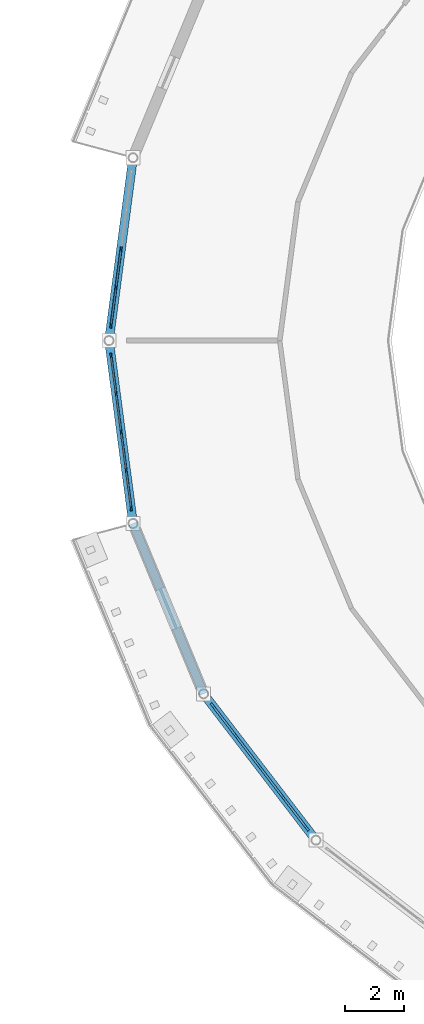
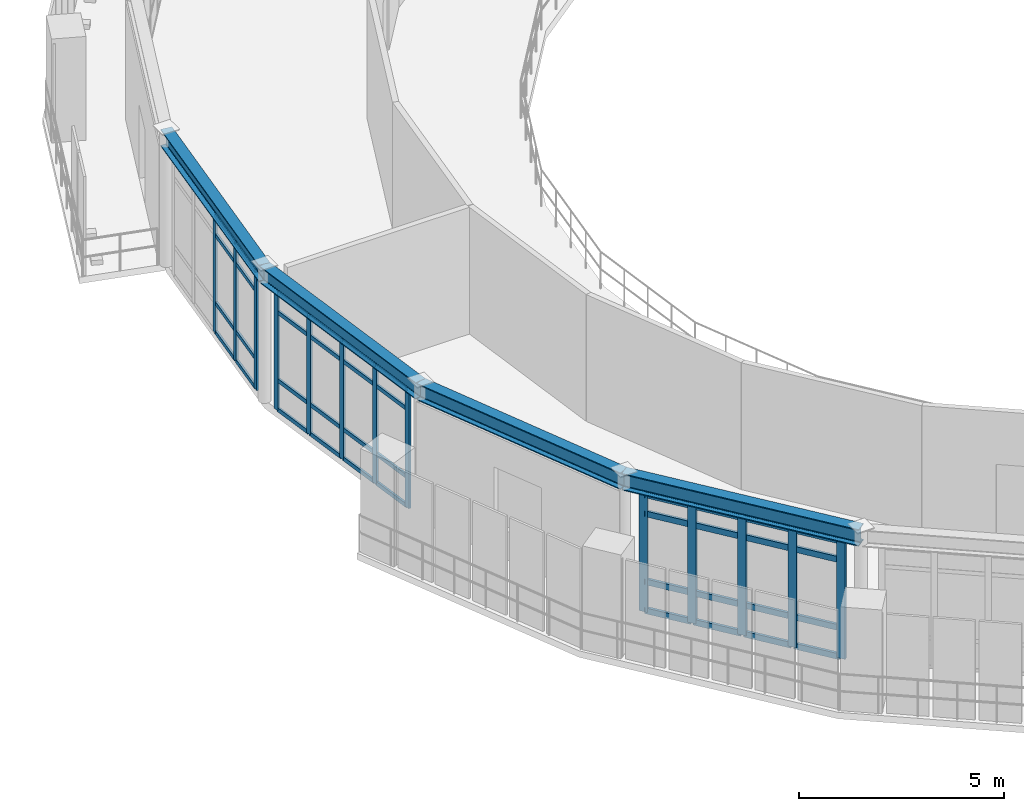
# One storey, part 16 of 58: 53 members, 4 beams, 3 elements without a shape of their own.
"""IFC4 building model written with IfcOpenShell, lengths in metres."""

from ifc_helpers import new_model, si_unit, derived_unit, direction, frame, origin, origin_2d, place, context, subcontext, project, spatial, rectangle, i_section, extrude, material, layer, layer_set, material_profile, profile_set, type_object, element, aggregate, save


model = new_model("IFC4")

# Units and contexts
model_context = context("Model", 3, precision=1e-05, world=origin(), true_north=direction((0.0, 1.0)))
body_context = subcontext(model_context, "Body", "Model", "MODEL_VIEW")
ifc_project = project(units=[si_unit("LENGTHUNIT", "METRE"), si_unit("AREAUNIT", "SQUARE_METRE"), si_unit("VOLUMEUNIT", "CUBIC_METRE"), si_unit("PLANEANGLEUNIT", "RADIAN"), si_unit("MASSUNIT", "GRAM", prefix="KILO"), derived_unit("THERMALTRANSMITTANCEUNIT", [(si_unit("POWERUNIT", "WATT"), 1), (si_unit("AREAUNIT", "SQUARE_METRE"), -1), (si_unit("THERMODYNAMICTEMPERATUREUNIT", "KELVIN"), -1)])], contexts=[model_context])

# Site, building, storey
site_placement = place(None, origin())
site = spatial("IfcSite", under=ifc_project, at=site_placement, CompositionType="ELEMENT")
building_placement = place(site_placement, origin())
building = spatial("IfcBuilding", under=site, at=building_placement, Name="Yasenodar Specialist Clinic", CompositionType="ELEMENT")
storey_placement = place(building_placement, frame((0.0, 0.0, 17.25)))
storey = spatial("IfcBuildingStorey", under=building, at=storey_placement, Name="L04", CompositionType="ELEMENT", Elevation=17.25)

# Beams
ifc_material_1 = material(Name="Steel S355", Category="steel")
ifc_material_profile_1 = material_profile(ifc_material_1, i_section(OverallWidth=0.300048828125, OverallDepth=0.5, WebThickness=0.014404296875, FlangeThickness=0.028076171875, FilletRadius=0.027099609375, at=origin_2d()), Name="HEB 500")
ifc_profile_set_1 = profile_set([ifc_material_profile_1], Name="Steel S355")
beam_type = type_object("IfcBeamType", Name="BM-HEB500", PredefinedType="BEAM", material=ifc_profile_set_1)
for number, where, z_axis, x_axis, name in (
    (1, (57.81787109375, 65.01171875, 3.800048828125), (-0.130540192224, -0.991443018138, 0.0), (0.991443018138, -0.130540192224, 0.0), "L04 Drum V1 Roof Ring Beam"),
    (2, (57.0, 58.800048828125, 3.800048828125), (0.130540192224, -0.991443018138, 0.0), (0.991443018138, 0.130540192224, 0.0), "L04 Drum V1 Roof Ring Beam"),
):
    element("IfcBeam", number, at=place(storey_placement, frame(where, z_axis=z_axis, x_axis=x_axis)), inside=storey, type_object=beam_type, Name=name, PredefinedType="BEAM", context=body_context, shape_type="SweptSolid", body=[
        extrude(i_section(OverallWidth=0.300048828125, OverallDepth=0.5, WebThickness=0.014404296875, FlangeThickness=0.028076171875, FilletRadius=0.027099609375, at=origin_2d()), origin(), (0.0, 0.0, 1.0), 6.265380859375),
    ])
beam_1_placement = place(storey_placement, frame((57.81787109375, 52.58837890625, 3.800048828125), z_axis=(0.382663829839, -0.9238876519, 0.0), x_axis=(0.9238876519, 0.382663829839, 0.0)))
element("IfcBeam", 3, at=beam_1_placement, inside=storey, type_object=beam_type, Name="L04 Drum V1 Roof Ring Beam", PredefinedType="BEAM", context=body_context, shape_type="SweptSolid", body=[
    extrude(i_section(OverallWidth=0.300048828125, OverallDepth=0.5, WebThickness=0.014404296875, FlangeThickness=0.028076171875, FilletRadius=0.027099609375, at=origin_2d()), origin(), (0.0, 0.0, 1.0), 6.26513671875),
])
beam_2_placement = place(storey_placement, frame((60.21533203125, 46.800048828125, 3.800048828125), z_axis=(0.608742360322, -0.793367971845, 0.0), x_axis=(0.793367971845, 0.608742360322, 0.0)))
element("IfcBeam", 4, at=beam_2_placement, inside=storey, type_object=beam_type, Name="L04 Drum V1 Roof Ring Beam", PredefinedType="BEAM", context=body_context, shape_type="SweptSolid", body=[
    extrude(i_section(OverallWidth=0.300048828125, OverallDepth=0.5, WebThickness=0.014404296875, FlangeThickness=0.028076171875, FilletRadius=0.027099609375, at=origin_2d()), origin(), (0.0, 0.0, 1.0), 6.265380859375),
])

# Curtain wall, members
ifc_material_2 = material(Name="Bronze Anodized Aluminium and Triple Low-E Glass", Category="aluminium")
ifc_layer = layer(ifc_material_2, 0.1669921875)
ifc_layer_set = layer_set([ifc_layer], Name="Bronze Anodized Aluminium and Triple Low-E Glass")
curtain_wall_type = type_object("IfcCurtainWallType", Name="CW-SYS-01", PredefinedType="USERDEFINED", material=ifc_layer_set)
curtain_wall_1_placement = place(storey_placement, origin())
curtain_wall_1 = element("IfcCurtainWall", 5, at=curtain_wall_1_placement, inside=storey, type_object=curtain_wall_type, Name="L04 Unitised Curtain Wall 063", ObjectType="UNITISED CURTAIN WALL", PredefinedType="USERDEFINED")
ifc_material_3 = material(Name="Bronze Anodized Aluminium", Category="aluminium")
ifc_material_profile_2 = material_profile(ifc_material_3, rectangle(XDim=0.06005859375, YDim=0.159912109375, at=origin_2d()), Name="CW-MULL 60x160")
ifc_profile_set_2 = profile_set([ifc_material_profile_2], Name="Bronze Anodized Aluminium")
member_type_1 = type_object("IfcMemberType", Name="CW-MULL-160", PredefinedType="MULLION", material=ifc_profile_set_2)
member_1_placement = place(storey_placement, frame((57.066650390625, 59.3056640625, 0.0), z_axis=(0.0, 0.0, 1.0), x_axis=(-0.991446787601, 0.13051156024, 0.0)))
member_1 = element("IfcMember", 6, at=member_1_placement, type_object=member_type_1, Name="CW-01 mullion 1", PredefinedType="MULLION", context=body_context, shape_type="SweptSolid", body=[
    extrude(rectangle(XDim=0.06005859375, YDim=0.159912109375, at=origin_2d()), origin(), (0.0, 0.0, 1.0), 3.528076171875),
])
member_2_placement = place(storey_placement, frame((57.23583984375, 60.5908203125, 0.0), z_axis=(0.0, 0.0, 1.0), x_axis=(-0.991446787601, 0.13051156024, 0.0)))
member_2 = element("IfcMember", 7, at=member_2_placement, type_object=member_type_1, Name="CW-01 mullion 2", PredefinedType="MULLION", context=body_context, shape_type="SweptSolid", body=[
    extrude(rectangle(XDim=0.06005859375, YDim=0.159912109375, at=origin_2d()), origin(), (0.0, 0.0, 1.0), 3.528076171875),
])
member_3_placement = place(storey_placement, frame((57.408935546875, 61.90576171875, 0.0), z_axis=(0.0, 0.0, 1.0), x_axis=(-0.991446787601, 0.13051156024, 0.0)))
member_3 = element("IfcMember", 8, at=member_3_placement, type_object=member_type_1, Name="CW-01 mullion 3", PredefinedType="MULLION", context=body_context, shape_type="SweptSolid", body=[
    extrude(rectangle(XDim=0.06005859375, YDim=0.159912109375, at=origin_2d()), origin(), (0.0, 0.0, 1.0), 3.528076171875),
])

curtain_wall_2_placement = place(storey_placement, origin())
curtain_wall_2 = element("IfcCurtainWall", 9, at=curtain_wall_2_placement, inside=storey, type_object=curtain_wall_type, Name="L04 Unitised Curtain Wall 064", ObjectType="UNITISED CURTAIN WALL", PredefinedType="USERDEFINED")
member_4_placement = place(storey_placement, frame((57.751220703125, 53.093994140625, 0.0), z_axis=(0.0, 0.0, 1.0), x_axis=(-0.991446787601, -0.13051156024, 0.0)))
member_4 = element("IfcMember", 10, at=member_4_placement, type_object=member_type_1, Name="CW-01 mullion 1", PredefinedType="MULLION", context=body_context, shape_type="SweptSolid", body=[
    extrude(rectangle(XDim=0.06005859375, YDim=0.159912109375, at=origin_2d()), origin(), (0.0, 0.0, 1.0), 3.528076171875),
])
member_5_placement = place(storey_placement, frame((57.58203125, 54.379150390625, 0.0), z_axis=(0.0, 0.0, 1.0), x_axis=(-0.991446787601, -0.13051156024, 0.0)))
member_5 = element("IfcMember", 11, at=member_5_placement, type_object=member_type_1, Name="CW-01 mullion 2", PredefinedType="MULLION", context=body_context, shape_type="SweptSolid", body=[
    extrude(rectangle(XDim=0.06005859375, YDim=0.159912109375, at=origin_2d()), origin(), (0.0, 0.0, 1.0), 3.528076171875),
])
member_6_placement = place(storey_placement, frame((57.408935546875, 55.694091796875, 0.0), z_axis=(0.0, 0.0, 1.0), x_axis=(-0.991446787601, -0.13051156024, 0.0)))
member_6 = element("IfcMember", 12, at=member_6_placement, type_object=member_type_1, Name="CW-01 mullion 3", PredefinedType="MULLION", context=body_context, shape_type="SweptSolid", body=[
    extrude(rectangle(XDim=0.06005859375, YDim=0.159912109375, at=origin_2d()), origin(), (0.0, 0.0, 1.0), 3.528076171875),
])
member_7_placement = place(storey_placement, frame((57.23583984375, 57.009033203125, 0.0), z_axis=(0.0, 0.0, 1.0), x_axis=(-0.991446787601, -0.13051156024, 0.0)))
member_7 = element("IfcMember", 13, at=member_7_placement, type_object=member_type_1, Name="CW-01 mullion 4", PredefinedType="MULLION", context=body_context, shape_type="SweptSolid", body=[
    extrude(rectangle(XDim=0.06005859375, YDim=0.159912109375, at=origin_2d()), origin(), (0.0, 0.0, 1.0), 3.528076171875),
])
member_8_placement = place(storey_placement, frame((57.066650390625, 58.29443359375, 0.0), z_axis=(0.0, 0.0, 1.0), x_axis=(-0.991446787601, -0.13051156024, 0.0)))
member_8 = element("IfcMember", 14, at=member_8_placement, type_object=member_type_1, Name="CW-01 mullion 5", PredefinedType="MULLION", context=body_context, shape_type="SweptSolid", body=[
    extrude(rectangle(XDim=0.06005859375, YDim=0.159912109375, at=origin_2d()), origin(), (0.0, 0.0, 1.0), 3.528076171875),
])

curtain_wall_3_placement = place(storey_placement, origin())
curtain_wall_3 = element("IfcCurtainWall", 15, at=curtain_wall_3_placement, inside=storey, type_object=curtain_wall_type, Name="L04 Unitised Curtain Wall 065", ObjectType="UNITISED CURTAIN WALL", PredefinedType="USERDEFINED")
ifc_material_profile_3 = material_profile(ifc_material_3, rectangle(XDim=0.074951171875, YDim=0.22509765625, at=origin_2d()), Name="CW-MULL 75x225")
ifc_profile_set_3 = profile_set([ifc_material_profile_3], Name="Bronze Anodized Aluminium")
member_type_2 = type_object("IfcMemberType", Name="CW-MULL-225", PredefinedType="MULLION", material=ifc_profile_set_3)
member_9_placement = place(storey_placement, frame((63.71435546875, 42.239990234375, 0.0), z_axis=(0.0, 0.0, 1.0), x_axis=(-0.793360558574, -0.608752021844, 0.0)))
member_9 = element("IfcMember", 16, at=member_9_placement, type_object=member_type_2, Name="CW-01 mullion 1", PredefinedType="MULLION", context=body_context, shape_type="SweptSolid", body=[
    extrude(rectangle(XDim=0.074951171875, YDim=0.22509765625, at=origin_2d()), origin(), (0.0, 0.0, 1.0), 3.528076171875),
])
member_10_placement = place(storey_placement, frame((62.9296875, 43.262451171875, 0.0), z_axis=(0.0, 0.0, 1.0), x_axis=(-0.793360558574, -0.608752021844, 0.0)))
member_10 = element("IfcMember", 17, at=member_10_placement, type_object=member_type_2, Name="CW-01 mullion 2", PredefinedType="MULLION", context=body_context, shape_type="SweptSolid", body=[
    extrude(rectangle(XDim=0.074951171875, YDim=0.22509765625, at=origin_2d()), origin(), (0.0, 0.0, 1.0), 3.528076171875),
])
member_11_placement = place(storey_placement, frame((62.122314453125, 44.314697265625, 0.0), z_axis=(0.0, 0.0, 1.0), x_axis=(-0.793360558574, -0.608752021844, 0.0)))
member_11 = element("IfcMember", 18, at=member_11_placement, type_object=member_type_2, Name="CW-01 mullion 3", PredefinedType="MULLION", context=body_context, shape_type="SweptSolid", body=[
    extrude(rectangle(XDim=0.074951171875, YDim=0.22509765625, at=origin_2d()), origin(), (0.0, 0.0, 1.0), 3.528076171875),
])
member_12_placement = place(storey_placement, frame((61.31494140625, 45.366943359375, 0.0), z_axis=(0.0, 0.0, 1.0), x_axis=(-0.793360558574, -0.608752021844, 0.0)))
member_12 = element("IfcMember", 19, at=member_12_placement, type_object=member_type_2, Name="CW-01 mullion 4", PredefinedType="MULLION", context=body_context, shape_type="SweptSolid", body=[
    extrude(rectangle(XDim=0.074951171875, YDim=0.22509765625, at=origin_2d()), origin(), (0.0, 0.0, 1.0), 3.528076171875),
])
member_13_placement = place(storey_placement, frame((60.530517578125, 46.389404296875, 0.0), z_axis=(0.0, 0.0, 1.0), x_axis=(-0.793360558574, -0.608752021844, 0.0)))
member_13 = element("IfcMember", 20, at=member_13_placement, type_object=member_type_2, Name="CW-01 mullion 5", PredefinedType="MULLION", context=body_context, shape_type="SweptSolid", body=[
    extrude(rectangle(XDim=0.074951171875, YDim=0.22509765625, at=origin_2d()), origin(), (0.0, 0.0, 1.0), 3.528076171875),
])

# Member
ifc_material_profile_4 = material_profile(ifc_material_3, rectangle(XDim=0.06005859375, YDim=0.1201171875, at=origin_2d()), Name="CW-TRAN 60x120")
ifc_profile_set_4 = profile_set([ifc_material_profile_4], Name="Bronze Anodized Aluminium")
member_type_3 = type_object("IfcMemberType", Name="CW-TRAN-120", PredefinedType="USERDEFINED", material=ifc_profile_set_4)
member_14_placement = place(storey_placement, frame((57.070556640625, 59.33544921875, 0.030029296875), z_axis=(0.130546471803, 0.991442191305, 0.0), x_axis=(-0.991442191305, 0.130546471803, 0.0)))
member_14 = element("IfcMember", 21, at=member_14_placement, type_object=member_type_3, Name="CW-01 transom 1.1", ObjectType="TRANSOM", PredefinedType="USERDEFINED", context=body_context, shape_type="SweptSolid", body=[
    extrude(rectangle(XDim=0.06005859375, YDim=0.1201171875, at=origin_2d()), origin(), (0.0, 0.0, 1.0), 1.236083984375),
])

member_15_placement = place(storey_placement, frame((57.070556640625, 59.33544921875, 0.89990234375), z_axis=(0.130546471803, 0.991442191305, 0.0), x_axis=(-0.991442191305, 0.130546471803, 0.0)))
member_15 = element("IfcMember", 22, at=member_15_placement, type_object=member_type_3, Name="CW-01 transom 1.2", ObjectType="TRANSOM", PredefinedType="USERDEFINED", context=body_context, shape_type="SweptSolid", body=[
    extrude(rectangle(XDim=0.06005859375, YDim=0.1201171875, at=origin_2d()), origin(), (0.0, 0.0, 1.0), 1.236083984375),
])

member_16_placement = place(storey_placement, frame((57.070556640625, 59.33544921875, 2.927978515625), z_axis=(0.130546471803, 0.991442191305, 0.0), x_axis=(-0.991442191305, 0.130546471803, 0.0)))
member_16 = element("IfcMember", 23, at=member_16_placement, type_object=member_type_3, Name="CW-01 transom 1.3", ObjectType="TRANSOM", PredefinedType="USERDEFINED", context=body_context, shape_type="SweptSolid", body=[
    extrude(rectangle(XDim=0.06005859375, YDim=0.1201171875, at=origin_2d()), origin(), (0.0, 0.0, 1.0), 1.236083984375),
])

member_17_placement = place(storey_placement, frame((57.070556640625, 59.33544921875, 3.498046875), z_axis=(0.130546471803, 0.991442191305, 0.0), x_axis=(-0.991442191305, 0.130546471803, 0.0)))
member_17 = element("IfcMember", 24, at=member_17_placement, type_object=member_type_3, Name="CW-01 transom 1.4", ObjectType="TRANSOM", PredefinedType="USERDEFINED", context=body_context, shape_type="SweptSolid", body=[
    extrude(rectangle(XDim=0.06005859375, YDim=0.1201171875, at=origin_2d()), origin(), (0.0, 0.0, 1.0), 1.236083984375),
])

member_18_placement = place(storey_placement, frame((57.23974609375, 60.62060546875, 0.030029296875), z_axis=(0.13050936627, 0.991447076407, 0.0), x_axis=(-0.991447076407, 0.13050936627, 0.0)))
member_18 = element("IfcMember", 25, at=member_18_placement, type_object=member_type_3, Name="CW-01 transom 2.1", ObjectType="TRANSOM", PredefinedType="USERDEFINED", context=body_context, shape_type="SweptSolid", body=[
    extrude(rectangle(XDim=0.06005859375, YDim=0.1201171875, at=origin_2d()), origin(), (0.0, 0.0, 1.0), 1.266357421875),
])

member_19_placement = place(storey_placement, frame((57.23974609375, 60.62060546875, 0.89990234375), z_axis=(0.13050936627, 0.991447076407, 0.0), x_axis=(-0.991447076407, 0.13050936627, 0.0)))
member_19 = element("IfcMember", 26, at=member_19_placement, type_object=member_type_3, Name="CW-01 transom 2.2", ObjectType="TRANSOM", PredefinedType="USERDEFINED", context=body_context, shape_type="SweptSolid", body=[
    extrude(rectangle(XDim=0.06005859375, YDim=0.1201171875, at=origin_2d()), origin(), (0.0, 0.0, 1.0), 1.266357421875),
])

member_20_placement = place(storey_placement, frame((57.23974609375, 60.62060546875, 2.927978515625), z_axis=(0.13050936627, 0.991447076407, 0.0), x_axis=(-0.991447076407, 0.13050936627, 0.0)))
member_20 = element("IfcMember", 27, at=member_20_placement, type_object=member_type_3, Name="CW-01 transom 2.3", ObjectType="TRANSOM", PredefinedType="USERDEFINED", context=body_context, shape_type="SweptSolid", body=[
    extrude(rectangle(XDim=0.06005859375, YDim=0.1201171875, at=origin_2d()), origin(), (0.0, 0.0, 1.0), 1.266357421875),
])

member_21_placement = place(storey_placement, frame((57.23974609375, 60.62060546875, 3.498046875), z_axis=(0.13050936627, 0.991447076407, 0.0), x_axis=(-0.991447076407, 0.13050936627, 0.0)))
member_21 = element("IfcMember", 28, at=member_21_placement, type_object=member_type_3, Name="CW-01 transom 2.4", ObjectType="TRANSOM", PredefinedType="USERDEFINED", context=body_context, shape_type="SweptSolid", body=[
    extrude(rectangle(XDim=0.06005859375, YDim=0.1201171875, at=origin_2d()), origin(), (0.0, 0.0, 1.0), 1.266357421875),
])

aggregate(curtain_wall_1, [member_1, member_2, member_3, member_14, member_15, member_16, member_17, member_18, member_19, member_20, member_21])

member_22_placement = place(storey_placement, frame((57.747314453125, 53.123779296875, 0.030029296875), z_axis=(-0.130546471803, 0.991442191305, 0.0), x_axis=(-0.991442191305, -0.130546471803, 0.0)))
member_22 = element("IfcMember", 29, at=member_22_placement, type_object=member_type_3, Name="CW-01 transom 1.1", ObjectType="TRANSOM", PredefinedType="USERDEFINED", context=body_context, shape_type="SweptSolid", body=[
    extrude(rectangle(XDim=0.06005859375, YDim=0.1201171875, at=origin_2d()), origin(), (0.0, 0.0, 1.0), 1.236083984375),
])

member_23_placement = place(storey_placement, frame((57.747314453125, 53.123779296875, 0.89990234375), z_axis=(-0.130546471803, 0.991442191305, 0.0), x_axis=(-0.991442191305, -0.130546471803, 0.0)))
member_23 = element("IfcMember", 30, at=member_23_placement, type_object=member_type_3, Name="CW-01 transom 1.2", ObjectType="TRANSOM", PredefinedType="USERDEFINED", context=body_context, shape_type="SweptSolid", body=[
    extrude(rectangle(XDim=0.06005859375, YDim=0.1201171875, at=origin_2d()), origin(), (0.0, 0.0, 1.0), 1.236083984375),
])

member_24_placement = place(storey_placement, frame((57.747314453125, 53.123779296875, 2.927978515625), z_axis=(-0.130546471803, 0.991442191305, 0.0), x_axis=(-0.991442191305, -0.130546471803, 0.0)))
member_24 = element("IfcMember", 31, at=member_24_placement, type_object=member_type_3, Name="CW-01 transom 1.3", ObjectType="TRANSOM", PredefinedType="USERDEFINED", context=body_context, shape_type="SweptSolid", body=[
    extrude(rectangle(XDim=0.06005859375, YDim=0.1201171875, at=origin_2d()), origin(), (0.0, 0.0, 1.0), 1.236083984375),
])

member_25_placement = place(storey_placement, frame((57.747314453125, 53.123779296875, 3.498046875), z_axis=(-0.130546471803, 0.991442191305, 0.0), x_axis=(-0.991442191305, -0.130546471803, 0.0)))
member_25 = element("IfcMember", 32, at=member_25_placement, type_object=member_type_3, Name="CW-01 transom 1.4", ObjectType="TRANSOM", PredefinedType="USERDEFINED", context=body_context, shape_type="SweptSolid", body=[
    extrude(rectangle(XDim=0.06005859375, YDim=0.1201171875, at=origin_2d()), origin(), (0.0, 0.0, 1.0), 1.236083984375),
])

member_26_placement = place(storey_placement, frame((57.578125, 54.408935546875, 0.030029296875), z_axis=(-0.13053431489, 0.99144379197, 0.0), x_axis=(-0.99144379197, -0.13053431489, 0.0)))
member_26 = element("IfcMember", 33, at=member_26_placement, type_object=member_type_3, Name="CW-01 transom 2.1", ObjectType="TRANSOM", PredefinedType="USERDEFINED", context=body_context, shape_type="SweptSolid", body=[
    extrude(rectangle(XDim=0.06005859375, YDim=0.1201171875, at=origin_2d()), origin(), (0.0, 0.0, 1.0), 1.26611328125),
])

member_27_placement = place(storey_placement, frame((57.578125, 54.408935546875, 0.89990234375), z_axis=(-0.13053431489, 0.99144379197, 0.0), x_axis=(-0.99144379197, -0.13053431489, 0.0)))
member_27 = element("IfcMember", 34, at=member_27_placement, type_object=member_type_3, Name="CW-01 transom 2.2", ObjectType="TRANSOM", PredefinedType="USERDEFINED", context=body_context, shape_type="SweptSolid", body=[
    extrude(rectangle(XDim=0.06005859375, YDim=0.1201171875, at=origin_2d()), origin(), (0.0, 0.0, 1.0), 1.26611328125),
])

member_28_placement = place(storey_placement, frame((57.578125, 54.408935546875, 2.927978515625), z_axis=(-0.13053431489, 0.99144379197, 0.0), x_axis=(-0.99144379197, -0.13053431489, 0.0)))
member_28 = element("IfcMember", 35, at=member_28_placement, type_object=member_type_3, Name="CW-01 transom 2.3", ObjectType="TRANSOM", PredefinedType="USERDEFINED", context=body_context, shape_type="SweptSolid", body=[
    extrude(rectangle(XDim=0.06005859375, YDim=0.1201171875, at=origin_2d()), origin(), (0.0, 0.0, 1.0), 1.26611328125),
])

member_29_placement = place(storey_placement, frame((57.578125, 54.408935546875, 3.498046875), z_axis=(-0.13053431489, 0.99144379197, 0.0), x_axis=(-0.99144379197, -0.13053431489, 0.0)))
member_29 = element("IfcMember", 36, at=member_29_placement, type_object=member_type_3, Name="CW-01 transom 2.4", ObjectType="TRANSOM", PredefinedType="USERDEFINED", context=body_context, shape_type="SweptSolid", body=[
    extrude(rectangle(XDim=0.06005859375, YDim=0.1201171875, at=origin_2d()), origin(), (0.0, 0.0, 1.0), 1.26611328125),
])

member_30_placement = place(storey_placement, frame((57.405029296875, 55.723876953125, 0.030029296875), z_axis=(-0.13050936627, 0.991447076407, 0.0), x_axis=(-0.991447076407, -0.13050936627, 0.0)))
member_30 = element("IfcMember", 37, at=member_30_placement, type_object=member_type_3, Name="CW-01 transom 3.1", ObjectType="TRANSOM", PredefinedType="USERDEFINED", context=body_context, shape_type="SweptSolid", body=[
    extrude(rectangle(XDim=0.06005859375, YDim=0.1201171875, at=origin_2d()), origin(), (0.0, 0.0, 1.0), 1.266357421875),
])

member_31_placement = place(storey_placement, frame((57.405029296875, 55.723876953125, 0.89990234375), z_axis=(-0.13050936627, 0.991447076407, 0.0), x_axis=(-0.991447076407, -0.13050936627, 0.0)))
member_31 = element("IfcMember", 38, at=member_31_placement, type_object=member_type_3, Name="CW-01 transom 3.2", ObjectType="TRANSOM", PredefinedType="USERDEFINED", context=body_context, shape_type="SweptSolid", body=[
    extrude(rectangle(XDim=0.06005859375, YDim=0.1201171875, at=origin_2d()), origin(), (0.0, 0.0, 1.0), 1.266357421875),
])

member_32_placement = place(storey_placement, frame((57.405029296875, 55.723876953125, 2.927978515625), z_axis=(-0.13050936627, 0.991447076407, 0.0), x_axis=(-0.991447076407, -0.13050936627, 0.0)))
member_32 = element("IfcMember", 39, at=member_32_placement, type_object=member_type_3, Name="CW-01 transom 3.3", ObjectType="TRANSOM", PredefinedType="USERDEFINED", context=body_context, shape_type="SweptSolid", body=[
    extrude(rectangle(XDim=0.06005859375, YDim=0.1201171875, at=origin_2d()), origin(), (0.0, 0.0, 1.0), 1.266357421875),
])

member_33_placement = place(storey_placement, frame((57.405029296875, 55.723876953125, 3.498046875), z_axis=(-0.13050936627, 0.991447076407, 0.0), x_axis=(-0.991447076407, -0.13050936627, 0.0)))
member_33 = element("IfcMember", 40, at=member_33_placement, type_object=member_type_3, Name="CW-01 transom 3.4", ObjectType="TRANSOM", PredefinedType="USERDEFINED", context=body_context, shape_type="SweptSolid", body=[
    extrude(rectangle(XDim=0.06005859375, YDim=0.1201171875, at=origin_2d()), origin(), (0.0, 0.0, 1.0), 1.266357421875),
])

member_34_placement = place(storey_placement, frame((57.23193359375, 57.038818359375, 0.030029296875), z_axis=(-0.130520914683, 0.99144555616, 0.0), x_axis=(-0.99144555616, -0.130520914683, 0.0)))
member_34 = element("IfcMember", 41, at=member_34_placement, type_object=member_type_3, Name="CW-01 transom 4.1", ObjectType="TRANSOM", PredefinedType="USERDEFINED", context=body_context, shape_type="SweptSolid", body=[
    extrude(rectangle(XDim=0.06005859375, YDim=0.1201171875, at=origin_2d()), origin(), (0.0, 0.0, 1.0), 1.236328125),
])

member_35_placement = place(storey_placement, frame((57.23193359375, 57.038818359375, 0.89990234375), z_axis=(-0.130520914683, 0.99144555616, 0.0), x_axis=(-0.99144555616, -0.130520914683, 0.0)))
member_35 = element("IfcMember", 42, at=member_35_placement, type_object=member_type_3, Name="CW-01 transom 4.2", ObjectType="TRANSOM", PredefinedType="USERDEFINED", context=body_context, shape_type="SweptSolid", body=[
    extrude(rectangle(XDim=0.06005859375, YDim=0.1201171875, at=origin_2d()), origin(), (0.0, 0.0, 1.0), 1.236328125),
])

member_36_placement = place(storey_placement, frame((57.23193359375, 57.038818359375, 2.927978515625), z_axis=(-0.130520914683, 0.99144555616, 0.0), x_axis=(-0.99144555616, -0.130520914683, 0.0)))
member_36 = element("IfcMember", 43, at=member_36_placement, type_object=member_type_3, Name="CW-01 transom 4.3", ObjectType="TRANSOM", PredefinedType="USERDEFINED", context=body_context, shape_type="SweptSolid", body=[
    extrude(rectangle(XDim=0.06005859375, YDim=0.1201171875, at=origin_2d()), origin(), (0.0, 0.0, 1.0), 1.236328125),
])

member_37_placement = place(storey_placement, frame((57.23193359375, 57.038818359375, 3.498046875), z_axis=(-0.130520914683, 0.99144555616, 0.0), x_axis=(-0.99144555616, -0.130520914683, 0.0)))
member_37 = element("IfcMember", 44, at=member_37_placement, type_object=member_type_3, Name="CW-01 transom 4.4", ObjectType="TRANSOM", PredefinedType="USERDEFINED", context=body_context, shape_type="SweptSolid", body=[
    extrude(rectangle(XDim=0.06005859375, YDim=0.1201171875, at=origin_2d()), origin(), (0.0, 0.0, 1.0), 1.236328125),
])

aggregate(curtain_wall_2, [member_4, member_5, member_6, member_7, member_8, member_22, member_23, member_24, member_25, member_26, member_27, member_28, member_29, member_30, member_31, member_32, member_33, member_34, member_35, member_36, member_37])

ifc_material_profile_5 = material_profile(ifc_material_3, rectangle(XDim=0.074951171875, YDim=0.175048828125, at=origin_2d()), Name="CW-TRAN 75x175")
ifc_profile_set_5 = profile_set([ifc_material_profile_5], Name="Bronze Anodized Aluminium")
member_type_4 = type_object("IfcMemberType", Name="CW-TRAN-175", PredefinedType="USERDEFINED", material=ifc_profile_set_5)
member_38_placement = place(storey_placement, frame((63.691650390625, 42.269775390625, 0.03759765625), z_axis=(-0.608845279176, 0.793288992755, 0.0), x_axis=(-0.793288992755, -0.608845279176, 0.0)))
member_38 = element("IfcMember", 45, at=member_38_placement, type_object=member_type_4, Name="CW-01 transom 1.1", ObjectType="TRANSOM", PredefinedType="USERDEFINED", context=body_context, shape_type="SweptSolid", body=[
    extrude(rectangle(XDim=0.074951171875, YDim=0.175048828125, at=origin_2d()), origin(), (0.0, 0.0, 1.0), 1.2138671875),
])

member_39_placement = place(storey_placement, frame((63.691650390625, 42.269775390625, 0.89990234375), z_axis=(-0.608845279176, 0.793288992755, 0.0), x_axis=(-0.793288992755, -0.608845279176, 0.0)))
member_39 = element("IfcMember", 46, at=member_39_placement, type_object=member_type_4, Name="CW-01 transom 1.2", ObjectType="TRANSOM", PredefinedType="USERDEFINED", context=body_context, shape_type="SweptSolid", body=[
    extrude(rectangle(XDim=0.074951171875, YDim=0.175048828125, at=origin_2d()), origin(), (0.0, 0.0, 1.0), 1.2138671875),
])

member_40_placement = place(storey_placement, frame((63.691650390625, 42.269775390625, 2.927978515625), z_axis=(-0.608845279176, 0.793288992755, 0.0), x_axis=(-0.793288992755, -0.608845279176, 0.0)))
member_40 = element("IfcMember", 47, at=member_40_placement, type_object=member_type_4, Name="CW-01 transom 1.3", ObjectType="TRANSOM", PredefinedType="USERDEFINED", context=body_context, shape_type="SweptSolid", body=[
    extrude(rectangle(XDim=0.074951171875, YDim=0.175048828125, at=origin_2d()), origin(), (0.0, 0.0, 1.0), 1.2138671875),
])

member_41_placement = place(storey_placement, frame((63.691650390625, 42.269775390625, 3.490478515625), z_axis=(-0.608845279176, 0.793288992755, 0.0), x_axis=(-0.793288992755, -0.608845279176, 0.0)))
member_41 = element("IfcMember", 48, at=member_41_placement, type_object=member_type_4, Name="CW-01 transom 1.4", ObjectType="TRANSOM", PredefinedType="USERDEFINED", context=body_context, shape_type="SweptSolid", body=[
    extrude(rectangle(XDim=0.074951171875, YDim=0.175048828125, at=origin_2d()), origin(), (0.0, 0.0, 1.0), 1.2138671875),
])

member_42_placement = place(storey_placement, frame((62.906982421875, 43.292236328125, 0.03759765625), z_axis=(-0.608767381159, 0.79334877301, 0.0), x_axis=(-0.79334877301, -0.608767381159, 0.0)))
member_42 = element("IfcMember", 49, at=member_42_placement, type_object=member_type_4, Name="CW-01 transom 2.1", ObjectType="TRANSOM", PredefinedType="USERDEFINED", context=body_context, shape_type="SweptSolid", body=[
    extrude(rectangle(XDim=0.074951171875, YDim=0.175048828125, at=origin_2d()), origin(), (0.0, 0.0, 1.0), 1.251220703125),
])

member_43_placement = place(storey_placement, frame((62.906982421875, 43.292236328125, 0.89990234375), z_axis=(-0.608767381159, 0.79334877301, 0.0), x_axis=(-0.79334877301, -0.608767381159, 0.0)))
member_43 = element("IfcMember", 50, at=member_43_placement, type_object=member_type_4, Name="CW-01 transom 2.2", ObjectType="TRANSOM", PredefinedType="USERDEFINED", context=body_context, shape_type="SweptSolid", body=[
    extrude(rectangle(XDim=0.074951171875, YDim=0.175048828125, at=origin_2d()), origin(), (0.0, 0.0, 1.0), 1.251220703125),
])

member_44_placement = place(storey_placement, frame((62.906982421875, 43.292236328125, 2.927978515625), z_axis=(-0.608767381159, 0.79334877301, 0.0), x_axis=(-0.79334877301, -0.608767381159, 0.0)))
member_44 = element("IfcMember", 51, at=member_44_placement, type_object=member_type_4, Name="CW-01 transom 2.3", ObjectType="TRANSOM", PredefinedType="USERDEFINED", context=body_context, shape_type="SweptSolid", body=[
    extrude(rectangle(XDim=0.074951171875, YDim=0.175048828125, at=origin_2d()), origin(), (0.0, 0.0, 1.0), 1.251220703125),
])

member_45_placement = place(storey_placement, frame((62.906982421875, 43.292236328125, 3.490478515625), z_axis=(-0.608767381159, 0.79334877301, 0.0), x_axis=(-0.79334877301, -0.608767381159, 0.0)))
member_45 = element("IfcMember", 52, at=member_45_placement, type_object=member_type_4, Name="CW-01 transom 2.4", ObjectType="TRANSOM", PredefinedType="USERDEFINED", context=body_context, shape_type="SweptSolid", body=[
    extrude(rectangle(XDim=0.074951171875, YDim=0.175048828125, at=origin_2d()), origin(), (0.0, 0.0, 1.0), 1.251220703125),
])

member_46_placement = place(storey_placement, frame((62.099609375, 44.344482421875, 0.03759765625), z_axis=(-0.608767381159, 0.79334877301, 0.0), x_axis=(-0.79334877301, -0.608767381159, 0.0)))
member_46 = element("IfcMember", 53, at=member_46_placement, type_object=member_type_4, Name="CW-01 transom 3.1", ObjectType="TRANSOM", PredefinedType="USERDEFINED", context=body_context, shape_type="SweptSolid", body=[
    extrude(rectangle(XDim=0.074951171875, YDim=0.175048828125, at=origin_2d()), origin(), (0.0, 0.0, 1.0), 1.251220703125),
])

member_47_placement = place(storey_placement, frame((62.099609375, 44.344482421875, 0.89990234375), z_axis=(-0.608767381159, 0.79334877301, 0.0), x_axis=(-0.79334877301, -0.608767381159, 0.0)))
member_47 = element("IfcMember", 54, at=member_47_placement, type_object=member_type_4, Name="CW-01 transom 3.2", ObjectType="TRANSOM", PredefinedType="USERDEFINED", context=body_context, shape_type="SweptSolid", body=[
    extrude(rectangle(XDim=0.074951171875, YDim=0.175048828125, at=origin_2d()), origin(), (0.0, 0.0, 1.0), 1.251220703125),
])

member_48_placement = place(storey_placement, frame((62.099609375, 44.344482421875, 2.927978515625), z_axis=(-0.608767381159, 0.79334877301, 0.0), x_axis=(-0.79334877301, -0.608767381159, 0.0)))
member_48 = element("IfcMember", 55, at=member_48_placement, type_object=member_type_4, Name="CW-01 transom 3.3", ObjectType="TRANSOM", PredefinedType="USERDEFINED", context=body_context, shape_type="SweptSolid", body=[
    extrude(rectangle(XDim=0.074951171875, YDim=0.175048828125, at=origin_2d()), origin(), (0.0, 0.0, 1.0), 1.251220703125),
])

member_49_placement = place(storey_placement, frame((62.099609375, 44.344482421875, 3.490478515625), z_axis=(-0.608767381159, 0.79334877301, 0.0), x_axis=(-0.79334877301, -0.608767381159, 0.0)))
member_49 = element("IfcMember", 56, at=member_49_placement, type_object=member_type_4, Name="CW-01 transom 3.4", ObjectType="TRANSOM", PredefinedType="USERDEFINED", context=body_context, shape_type="SweptSolid", body=[
    extrude(rectangle(XDim=0.074951171875, YDim=0.175048828125, at=origin_2d()), origin(), (0.0, 0.0, 1.0), 1.251220703125),
])

member_50_placement = place(storey_placement, frame((61.292236328125, 45.396728515625, 0.03759765625), z_axis=(-0.608845279176, 0.793288992755, 0.0), x_axis=(-0.793288992755, -0.608845279176, 0.0)))
member_50 = element("IfcMember", 57, at=member_50_placement, type_object=member_type_4, Name="CW-01 transom 4.1", ObjectType="TRANSOM", PredefinedType="USERDEFINED", context=body_context, shape_type="SweptSolid", body=[
    extrude(rectangle(XDim=0.074951171875, YDim=0.175048828125, at=origin_2d()), origin(), (0.0, 0.0, 1.0), 1.2138671875),
])

member_51_placement = place(storey_placement, frame((61.292236328125, 45.396728515625, 0.89990234375), z_axis=(-0.608845279176, 0.793288992755, 0.0), x_axis=(-0.793288992755, -0.608845279176, 0.0)))
member_51 = element("IfcMember", 58, at=member_51_placement, type_object=member_type_4, Name="CW-01 transom 4.2", ObjectType="TRANSOM", PredefinedType="USERDEFINED", context=body_context, shape_type="SweptSolid", body=[
    extrude(rectangle(XDim=0.074951171875, YDim=0.175048828125, at=origin_2d()), origin(), (0.0, 0.0, 1.0), 1.2138671875),
])

member_52_placement = place(storey_placement, frame((61.292236328125, 45.396728515625, 2.927978515625), z_axis=(-0.608845279176, 0.793288992755, 0.0), x_axis=(-0.793288992755, -0.608845279176, 0.0)))
member_52 = element("IfcMember", 59, at=member_52_placement, type_object=member_type_4, Name="CW-01 transom 4.3", ObjectType="TRANSOM", PredefinedType="USERDEFINED", context=body_context, shape_type="SweptSolid", body=[
    extrude(rectangle(XDim=0.074951171875, YDim=0.175048828125, at=origin_2d()), origin(), (0.0, 0.0, 1.0), 1.2138671875),
])

member_53_placement = place(storey_placement, frame((61.292236328125, 45.396728515625, 3.490478515625), z_axis=(-0.608845279176, 0.793288992755, 0.0), x_axis=(-0.793288992755, -0.608845279176, 0.0)))
member_53 = element("IfcMember", 60, at=member_53_placement, type_object=member_type_4, Name="CW-01 transom 4.4", ObjectType="TRANSOM", PredefinedType="USERDEFINED", context=body_context, shape_type="SweptSolid", body=[
    extrude(rectangle(XDim=0.074951171875, YDim=0.175048828125, at=origin_2d()), origin(), (0.0, 0.0, 1.0), 1.2138671875),
])

aggregate(curtain_wall_3, [member_9, member_10, member_11, member_12, member_13, member_38, member_39, member_40, member_41, member_42, member_43, member_44, member_45, member_46, member_47, member_48, member_49, member_50, member_51, member_52, member_53])

save(model, "model.ifc")
